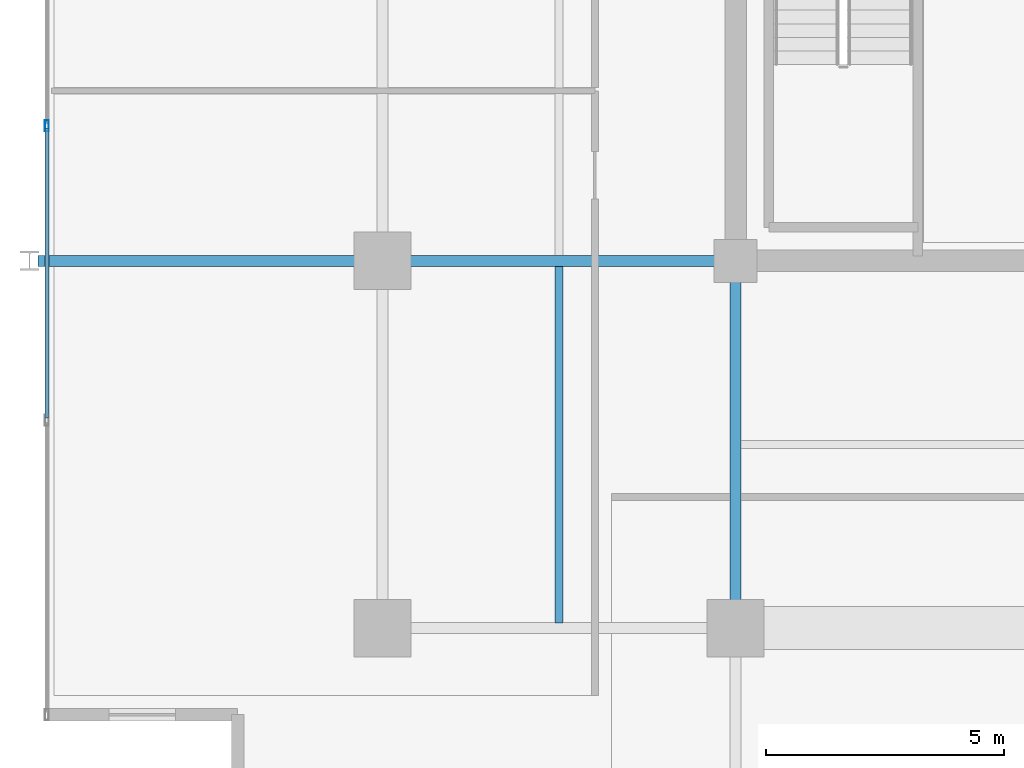
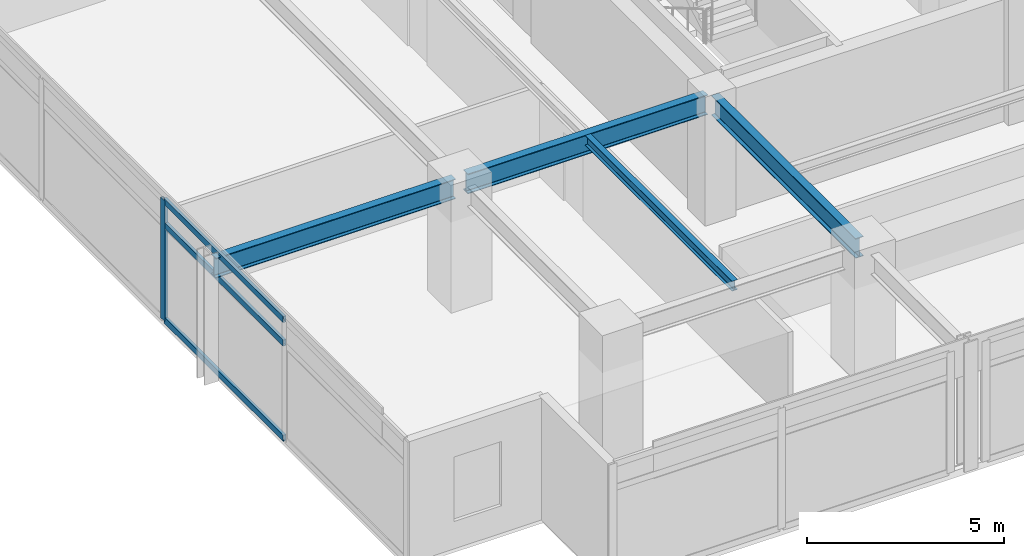
# One storey, part 3 of 20: 4 beams, 4 members, 1 element without a shape of its own.
"""IFC4 building model written with IfcOpenShell, lengths in metres."""

from ifc_helpers import new_model, si_unit, direction, frame, origin, origin_2d, place, context, subcontext, project, spatial, hollow_rectangle, i_section, extrude, material, material_profile, profile_set, type_object, element, aggregate, save


model = new_model("IFC4")

# Units and contexts
model_context = context("Model", 3, precision=1e-05, world=origin(), true_north=direction((0.0, 1.0)))
body_context = subcontext(model_context, "Body", "Model", "MODEL_VIEW")
ifc_project = project(units=[si_unit("LENGTHUNIT", "METRE"), si_unit("AREAUNIT", "SQUARE_METRE"), si_unit("VOLUMEUNIT", "CUBIC_METRE"), si_unit("PLANEANGLEUNIT", "RADIAN"), si_unit("MASSUNIT", "GRAM", prefix="KILO")], contexts=[model_context])

# Site, building, storey
site_placement = place(None, origin())
site = spatial("IfcSite", under=ifc_project, at=site_placement, CompositionType="ELEMENT")
building_placement = place(site_placement, origin())
building = spatial("IfcBuilding", under=site, at=building_placement, Name="Kovane Verandah Tower", CompositionType="ELEMENT")
storey_placement = place(building_placement, frame((0.0, 0.0, 287.199951171875)))
storey = spatial("IfcBuildingStorey", under=building, at=storey_placement, Name="L67", CompositionType="ELEMENT", Elevation=287.199951171875)

# Beams
ifc_material_1 = material(Name="Steel S355", Category="steel")
ifc_material_profile_1 = material_profile(ifc_material_1, i_section(OverallWidth=0.230224609375, OverallDepth=0.6171875, WebThickness=0.01318359375, FlangeThickness=0.022216796875, FilletRadius=0.0126953125, at=origin_2d()), Name="UB610x229x140")
ifc_profile_set_1 = profile_set([ifc_material_profile_1], Name="Steel S355")
beam_type_1 = type_object("IfcBeamType", Name="BM-UB610x140", PredefinedType="BEAM", material=ifc_profile_set_1)
beam_1_placement = place(storey_placement, frame((28.820068359375, 18.5, 3.4765625), z_axis=(-1.0, 0.0, 0.0), x_axis=(0.0, -1.0, 0.0)))
element("IfcBeam", 1, at=beam_1_placement, inside=storey, type_object=beam_type_1, Name="L67 Primary Tower Girder G-W1", PredefinedType="BEAM", context=body_context, shape_type="SweptSolid", body=[
    extrude(i_section(OverallWidth=0.230224609375, OverallDepth=0.6171875, WebThickness=0.01318359375, FlangeThickness=0.022216796875, FilletRadius=0.0126953125, at=origin_2d()), origin(), (0.0, 0.0, 1.0), 7.0400390625),
])
beam_2_placement = place(storey_placement, frame((29.0, 18.320068359375, 3.4765625), z_axis=(0.0, -1.0, 0.0), x_axis=(1.0, 0.0, 0.0)))
element("IfcBeam", 2, at=beam_2_placement, inside=storey, type_object=beam_type_1, Name="L67 Primary Tower Girder G-S1", PredefinedType="BEAM", context=body_context, shape_type="SweptSolid", body=[
    extrude(i_section(OverallWidth=0.230224609375, OverallDepth=0.6171875, WebThickness=0.01318359375, FlangeThickness=0.022216796875, FilletRadius=0.0126953125, at=origin_2d()), origin(), (0.0, 0.0, 1.0), 7.340087890625),
])
beam_3_placement = place(storey_placement, frame((21.419921875, 18.5, 3.451416015625), z_axis=(-1.0, 0.0, 0.0), x_axis=(0.0, -1.0, 0.0)))
element("IfcBeam", 3, at=beam_3_placement, inside=storey, type_object=beam_type_1, Name="L67 Primary Tower Girder G-VW1", PredefinedType="BEAM", context=body_context, shape_type="SweptSolid", body=[
    extrude(i_section(OverallWidth=0.230224609375, OverallDepth=0.6171875, WebThickness=0.01318359375, FlangeThickness=0.022216796875, FilletRadius=0.0126953125, at=origin_2d()), origin(), (0.0, 0.0, 1.0), 7.0400390625),
])

# Curtain wall, members
ifc_material_2 = material(Name="Champagne Anodised Aluminium Frame with Low-E Clear Laminated Glass", Category="aluminium")
curtain_wall_type = type_object("IfcCurtainWallType", Name="CW-SYS-05-HIGH", PredefinedType="NOTDEFINED", material=ifc_material_2)
curtain_wall_placement = place(storey_placement, origin())
curtain_wall = element("IfcCurtainWall", 4, at=curtain_wall_placement, inside=storey, type_object=curtain_wall_type, Name="L67 W Unitised Curtain Wall", PredefinedType="NOTDEFINED")
ifc_material_3 = material(Name="Champagne Anodised Aluminium 6063-T6", Category="aluminium")
ifc_material_profile_2 = material_profile(ifc_material_3, hollow_rectangle(XDim=0.0849609375, YDim=0.22998046875, WallThickness=0.00390625, at=origin_2d()), Name="AL85x230x4")
ifc_profile_set_2 = profile_set([ifc_material_profile_2], Name="Champagne Anodised Aluminium 6063-T6")
member_type_1 = type_object("IfcMemberType", Name="CW-MUL-85x230", PredefinedType="MULLION", material=ifc_profile_set_2)
member_1_placement = place(storey_placement, frame((14.5625, 21.32861328125, 0.02001953125), z_axis=(0.0, 0.0, 1.0), x_axis=(-1.0, 0.0, 0.0)))
member_1 = element("IfcMember", 5, at=member_1_placement, type_object=member_type_1, Name="L67 W Unitised Curtain Wall Mullion 5", PredefinedType="MULLION", context=body_context, shape_type="SweptSolid", body=[
    extrude(hollow_rectangle(XDim=0.0849609375, YDim=0.22998046875, WallThickness=0.00390625, at=origin_2d()), origin(), (0.0, 0.0, 1.0), 3.7451171875),
])
ifc_material_profile_3 = material_profile(ifc_material_3, hollow_rectangle(XDim=0.0849609375, YDim=0.18994140625, WallThickness=0.00390625, at=origin_2d()), Name="AL85x190x4")
ifc_profile_set_3 = profile_set([ifc_material_profile_3], Name="Champagne Anodised Aluminium 6063-T6")
member_type_2 = type_object("IfcMemberType", Name="CW-TRN-85x190", PredefinedType="USERDEFINED", material=ifc_profile_set_3)
member_2_placement = place(storey_placement, frame((14.5625, 21.278564453125, 0.050048828125), z_axis=(0.0, -1.0, 0.0), x_axis=(1.0, 0.0, 0.0)))
member_2 = element("IfcMember", 6, at=member_2_placement, type_object=member_type_2, Name="L67 W Unitised Curtain Wall Transom TB Bay 5", ObjectType="TRANSOM", PredefinedType="USERDEFINED", context=body_context, shape_type="SweptSolid", body=[
    extrude(hollow_rectangle(XDim=0.0849609375, YDim=0.18994140625, WallThickness=0.00390625, at=origin_2d()), origin(), (0.0, 0.0, 1.0), 6.071533203125),
])
member_3_placement = place(storey_placement, frame((14.5625, 21.278564453125, 3.005126953125), z_axis=(0.0, -1.0, 0.0), x_axis=(1.0, 0.0, 0.0)))
member_3 = element("IfcMember", 7, at=member_3_placement, type_object=member_type_2, Name="L67 W Unitised Curtain Wall Transom TM Bay 5", ObjectType="TRANSOM", PredefinedType="USERDEFINED", context=body_context, shape_type="SweptSolid", body=[
    extrude(hollow_rectangle(XDim=0.0849609375, YDim=0.18994140625, WallThickness=0.00390625, at=origin_2d()), origin(), (0.0, 0.0, 1.0), 6.071533203125),
])
member_4_placement = place(storey_placement, frame((14.5625, 21.278564453125, 3.735107421875), z_axis=(0.0, -1.0, 0.0), x_axis=(1.0, 0.0, 0.0)))
member_4 = element("IfcMember", 8, at=member_4_placement, type_object=member_type_2, Name="L67 W Unitised Curtain Wall Transom TT Bay 5", ObjectType="TRANSOM", PredefinedType="USERDEFINED", context=body_context, shape_type="SweptSolid", body=[
    extrude(hollow_rectangle(XDim=0.0849609375, YDim=0.18994140625, WallThickness=0.00390625, at=origin_2d()), origin(), (0.0, 0.0, 1.0), 6.071533203125),
])
aggregate(curtain_wall, [member_1, member_2, member_3, member_4])

# Beam
ifc_material_profile_4 = material_profile(ifc_material_1, i_section(OverallWidth=0.1669921875, OverallDepth=0.310302734375, WebThickness=0.0078125, FlangeThickness=0.013671875, FilletRadius=0.0087890625, at=origin_2d()), Name="UB305x165x54")
ifc_profile_set_4 = profile_set([ifc_material_profile_4], Name="Steel S355")
beam_type_2 = type_object("IfcBeamType", Name="JST-UB305x54", PredefinedType="JOIST", material=ifc_profile_set_4)
beam_4_placement = place(storey_placement, frame((25.300048828125, 10.9130859375, 3.6298828125), z_axis=(0.0, 1.0, 0.0), x_axis=(-1.0, 0.0, 0.0)))
element("IfcBeam", 9, at=beam_4_placement, inside=storey, type_object=beam_type_2, Name="L67 Secondary Composite Joist J-SW1", PredefinedType="JOIST", context=body_context, shape_type="SweptSolid", body=[
    extrude(i_section(OverallWidth=0.1669921875, OverallDepth=0.310302734375, WebThickness=0.0078125, FlangeThickness=0.013671875, FilletRadius=0.0087890625, at=origin_2d()), origin(), (0.0, 0.0, 1.0), 7.473876953125),
])

save(model, "model.ifc")
